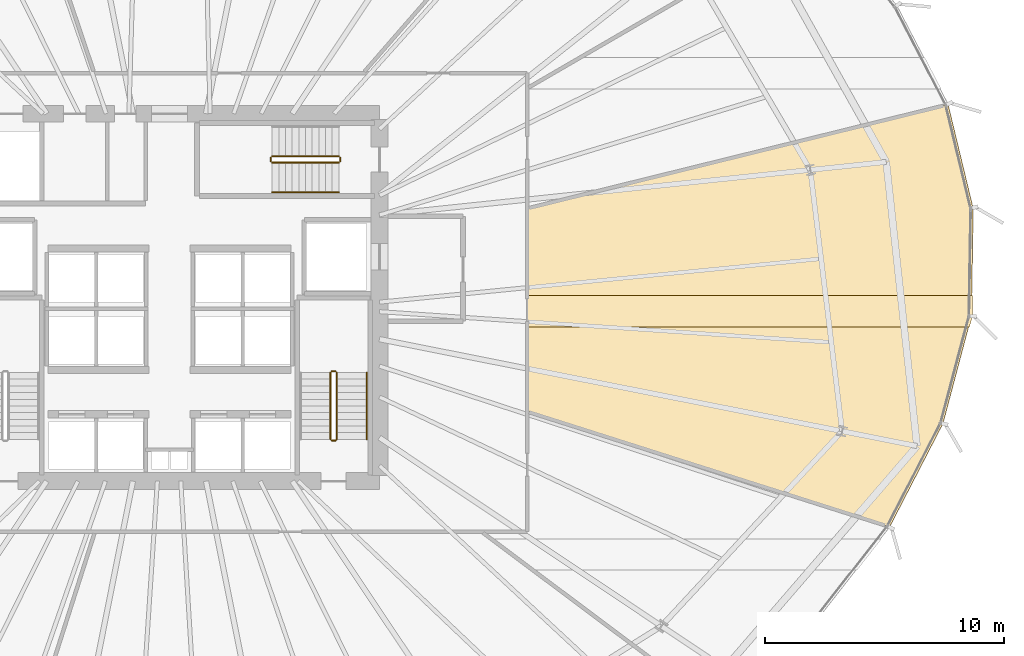
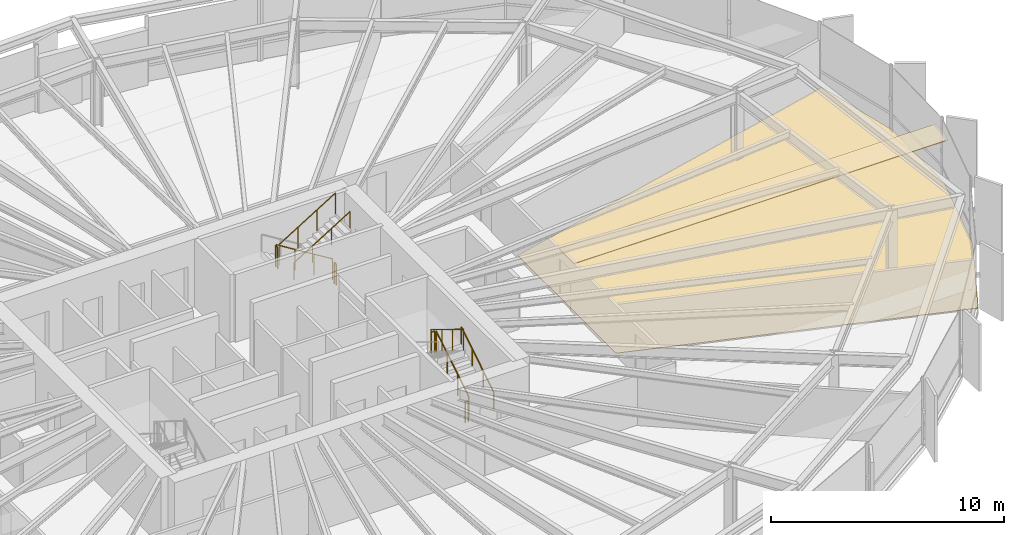
# One storey, part 36 of 37: 10 railings, 2 coverings.
"""IFC4 building model written with IfcOpenShell, lengths in metres."""

from ifc_helpers import new_model, si_unit, direction, frame, origin, origin_2d, place, context, subcontext, project, spatial, polyline, circle, outline, extrude, material, layer, layer_set, type_object, element, save


model = new_model("IFC4")

# Units and contexts
model_context = context("Model", 3, precision=1e-05, world=origin(), true_north=direction((0.0, 1.0)))
body_context = subcontext(model_context, "Body", "Model", "MODEL_VIEW")
ifc_project = project(units=[si_unit("LENGTHUNIT", "METRE"), si_unit("AREAUNIT", "SQUARE_METRE"), si_unit("VOLUMEUNIT", "CUBIC_METRE"), si_unit("PLANEANGLEUNIT", "RADIAN"), si_unit("MASSUNIT", "GRAM", prefix="KILO"), si_unit("THERMODYNAMICTEMPERATUREUNIT", "KELVIN")], contexts=[model_context])

# Site, building, storey
site_placement = place(None, origin())
site = spatial("IfcSite", under=ifc_project, at=site_placement, CompositionType="ELEMENT")
building_placement = place(site_placement, origin())
building = spatial("IfcBuilding", under=site, at=building_placement, Name="Kethvar Cultural Tower", CompositionType="ELEMENT")
storey_placement = place(building_placement, frame((0.0, 0.0, 56.199951171875)))
storey = spatial("IfcBuildingStorey", under=building, at=storey_placement, Name="L13", CompositionType="ELEMENT", Elevation=56.199951171875)

# Coverings
ifc_material_1 = material(Name="Acoustic Mineral Fibre Ceiling")
ifc_layer_1 = layer(ifc_material_1, 0.0400390625, Name="Acoustic Mineral Fibre Ceiling")
ifc_layer_set_1 = layer_set([ifc_layer_1], Name="Acoustic Mineral Fibre Ceiling (40 mm)")
covering_type_1 = type_object("IfcCoveringType", Name="CV-ACOUSTIC-CEIL", PredefinedType="CEILING", material=ifc_layer_set_1)
covering_1_placement = place(storey_placement, frame((0.0, 0.0, 2.56005859375)))
element("IfcCovering", 1, at=covering_1_placement, inside=storey, type_object=covering_type_1, Name="L13 Room 04 Acoustic Ceiling Panel", PredefinedType="CEILING", context=body_context, shape_type="SweptSolid", body=[
    extrude(outline(polyline([(61.77001953125, 27.87890625), (80.462890625, 27.87890625), (80.4482421875, 27.0068359375), (80.332763671875, 26.56884765625), (61.77001953125, 26.56884765625), (61.77001953125, 27.87890625)])), origin(), (0.0, 0.0, 1.0), 0.0400390625),
])
ifc_material_2 = material(Name="Architectural Oak Timber", Category="wood")
ifc_layer_2 = layer(ifc_material_2, 0.02490234375, Name="Architectural Oak Timber", Category="wood")
ifc_layer_set_2 = layer_set([ifc_layer_2], Name="Architectural Oak Timber (25 mm)")
covering_type_2 = type_object("IfcCoveringType", Name="CV-OAK-FLOOR", PredefinedType="FLOORING", material=ifc_layer_set_2)
covering_2_placement = place(storey_placement, origin())
element("IfcCovering", 2, at=covering_2_placement, inside=storey, type_object=covering_type_2, Name="L13 Room 04 Floor Finish", PredefinedType="FLOORING", context=body_context, shape_type="SweptSolid", body=[
    extrude(outline(polyline([(79.216064453125, 22.51416015625), (76.983642578125, 18.18505859375), (61.81005859375, 23.029052734375), (61.81005859375, 31.508056640625), (79.430908203125, 35.885009765625), (80.4833984375, 31.518798828125), (80.408203125, 27.010009765625), (79.216064453125, 22.51416015625)])), origin(), (0.0, 0.0, 1.0), 0.025146484375),
])

# Railings
ifc_material_3 = material(Name="Steel S355J2", Category="steel")
railing_type_1 = type_object("IfcRailingType", Name="RL-STAIR-GUARD", PredefinedType="BALUSTRADE", material=ifc_material_3)
railing_1_placement = place(storey_placement, frame((53.81005859375, 21.85009765625, 0.1728515625)))
element("IfcRailing", 3, at=railing_1_placement, inside=storey, type_object=railing_type_1, Name="L13 ST-02 stair guard 1", PredefinedType="BALUSTRADE", context=body_context, shape_type="SweptSolid", body=[
    extrude(circle(Radius=0.02392578125, at=origin_2d()), frame((0.0, 0.0, 1.09619140625), z_axis=(0.0, 0.851069175582, 0.525053576669), x_axis=(-1.0, 0.0, 0.0)), (0.0, 0.0, 1.0), 3.289794921875),
    extrude(circle(Radius=0.02099609375, at=origin_2d()), origin(), (0.0, 0.0, 1.0), 1.072021484375),
    extrude(circle(Radius=0.02099609375, at=origin_2d()), frame((0.0, 0.933349609375, 0.57568359375)), (0.0, 0.0, 1.0), 1.072021484375),
    extrude(circle(Radius=0.02099609375, at=origin_2d()), frame((0.0, 1.866455078125, 1.151611328125)), (0.0, 0.0, 1.0), 1.072021484375),
    extrude(circle(Radius=0.02099609375, at=origin_2d()), frame((0.0, 2.7998046875, 1.727294921875)), (0.0, 0.0, 1.0), 1.072021484375),
])
railing_2_placement = place(storey_placement, frame((53.760009765625, 24.699951171875, 1.900146484375)))
element("IfcRailing", 4, at=railing_2_placement, inside=storey, type_object=railing_type_1, Name="L13 ST-02 stair guard 2", PredefinedType="BALUSTRADE", context=body_context, shape_type="SweptSolid", body=[
    extrude(circle(Radius=0.02392578125, at=origin_2d()), frame((0.0, 0.0, 1.09619140625), z_axis=(-1.0, 0.0, 0.0), x_axis=(0.0, -1.0, 0.0)), (0.0, 0.0, 1.0), 0.159912109375),
    extrude(circle(Radius=0.02099609375, at=origin_2d()), origin(), (0.0, 0.0, 1.0), 1.072021484375),
    extrude(circle(Radius=0.02099609375, at=origin_2d()), frame((-0.159912109375, 0.0, 0.0)), (0.0, 0.0, 1.0), 1.072021484375),
])
railing_3_placement = place(storey_placement, frame((53.550048828125, 24.64990234375, 2.07275390625)))
element("IfcRailing", 5, at=railing_3_placement, inside=storey, type_object=railing_type_1, Name="L13 ST-02 stair guard 3", PredefinedType="BALUSTRADE", context=body_context, shape_type="SweptSolid", body=[
    extrude(circle(Radius=0.02392578125, at=origin_2d()), frame((0.0, 0.0, 1.09619140625), z_axis=(0.0, -0.851069175582, 0.525053576669), x_axis=(1.0, 0.0, 0.0)), (0.0, 0.0, 1.0), 3.289794921875),
    extrude(circle(Radius=0.02099609375, at=origin_2d()), origin(), (0.0, 0.0, 1.0), 1.072021484375),
    extrude(circle(Radius=0.02099609375, at=origin_2d()), frame((0.0, -0.933349609375, 0.57568359375)), (0.0, 0.0, 1.0), 1.072021484375),
    extrude(circle(Radius=0.02099609375, at=origin_2d()), frame((0.0, -1.866455078125, 1.151611328125)), (0.0, 0.0, 1.0), 1.072021484375),
    extrude(circle(Radius=0.02099609375, at=origin_2d()), frame((0.0, -2.7998046875, 1.727294921875)), (0.0, 0.0, 1.0), 1.072021484375),
])
railing_4_placement = place(storey_placement, frame((53.760009765625, 21.800048828125, 0.0)))
element("IfcRailing", 6, at=railing_4_placement, inside=storey, type_object=railing_type_1, Name="L13 ST-02 stair guard 4", PredefinedType="BALUSTRADE", context=body_context, shape_type="SweptSolid", body=[
    extrude(circle(Radius=0.02392578125, at=origin_2d()), frame((0.0, 0.0, 1.09619140625), z_axis=(-1.0, 0.0, 0.0), x_axis=(0.0, -1.0, 0.0)), (0.0, 0.0, 1.0), 0.159912109375),
    extrude(circle(Radius=0.02099609375, at=origin_2d()), origin(), (0.0, 0.0, 1.0), 1.072021484375),
    extrude(circle(Radius=0.02099609375, at=origin_2d()), frame((-0.159912109375, 0.0, 0.0)), (0.0, 0.0, 1.0), 1.072021484375),
])
railing_5_placement = place(storey_placement, frame((53.89990234375, 33.7099609375, 0.1728515625)))
element("IfcRailing", 7, at=railing_5_placement, inside=storey, type_object=railing_type_1, Name="L13 ST-03 stair guard 1", PredefinedType="BALUSTRADE", context=body_context, shape_type="SweptSolid", body=[
    extrude(circle(Radius=0.02392578125, at=origin_2d()), frame((0.0, 0.0, 1.09619140625), z_axis=(-0.851069175582, 0.0, 0.525053576669), x_axis=(0.0, -1.0, 0.0)), (0.0, 0.0, 1.0), 3.289794921875),
    extrude(circle(Radius=0.02099609375, at=origin_2d()), origin(), (0.0, 0.0, 1.0), 1.072021484375),
    extrude(circle(Radius=0.02099609375, at=origin_2d()), frame((-0.933349609375, 0.0, 0.57568359375)), (0.0, 0.0, 1.0), 1.072021484375),
    extrude(circle(Radius=0.02099609375, at=origin_2d()), frame((-1.866455078125, 0.0, 1.151611328125)), (0.0, 0.0, 1.0), 1.072021484375),
    extrude(circle(Radius=0.02099609375, at=origin_2d()), frame((-2.7998046875, 0.0, 1.727294921875)), (0.0, 0.0, 1.0), 1.072021484375),
])
railing_6_placement = place(storey_placement, frame((51.050048828125, 33.659912109375, 1.900146484375)))
element("IfcRailing", 8, at=railing_6_placement, inside=storey, type_object=railing_type_1, Name="L13 ST-03 stair guard 2", PredefinedType="BALUSTRADE", context=body_context, shape_type="SweptSolid", body=[
    extrude(circle(Radius=0.02392578125, at=origin_2d()), frame((0.0, 0.0, 1.09619140625), z_axis=(0.0, -1.0, 0.0), x_axis=(1.0, 0.0, 0.0)), (0.0, 0.0, 1.0), 0.159912109375),
    extrude(circle(Radius=0.02099609375, at=origin_2d()), origin(), (0.0, 0.0, 1.0), 1.072021484375),
    extrude(circle(Radius=0.02099609375, at=origin_2d()), frame((0.0, -0.159912109375, 0.0)), (0.0, 0.0, 1.0), 1.072021484375),
])
railing_7_placement = place(storey_placement, frame((51.10009765625, 33.449951171875, 2.07275390625)))
element("IfcRailing", 9, at=railing_7_placement, inside=storey, type_object=railing_type_1, Name="L13 ST-03 stair guard 3", PredefinedType="BALUSTRADE", context=body_context, shape_type="SweptSolid", body=[
    extrude(circle(Radius=0.02392578125, at=origin_2d()), frame((0.0, 0.0, 1.09619140625), z_axis=(0.851069175582, 0.0, 0.525053576669), x_axis=(0.0, 1.0, 0.0)), (0.0, 0.0, 1.0), 3.289794921875),
    extrude(circle(Radius=0.02099609375, at=origin_2d()), origin(), (0.0, 0.0, 1.0), 1.072021484375),
    extrude(circle(Radius=0.02099609375, at=origin_2d()), frame((0.933349609375, 0.0, 0.57568359375)), (0.0, 0.0, 1.0), 1.072021484375),
    extrude(circle(Radius=0.02099609375, at=origin_2d()), frame((1.866455078125, 0.0, 1.151611328125)), (0.0, 0.0, 1.0), 1.072021484375),
    extrude(circle(Radius=0.02099609375, at=origin_2d()), frame((2.7998046875, 0.0, 1.727294921875)), (0.0, 0.0, 1.0), 1.072021484375),
])
railing_8_placement = place(storey_placement, frame((53.949951171875, 33.659912109375, 0.0)))
element("IfcRailing", 10, at=railing_8_placement, inside=storey, type_object=railing_type_1, Name="L13 ST-03 stair guard 4", PredefinedType="BALUSTRADE", context=body_context, shape_type="SweptSolid", body=[
    extrude(circle(Radius=0.02392578125, at=origin_2d()), frame((0.0, 0.0, 1.09619140625), z_axis=(0.0, -1.0, 0.0), x_axis=(1.0, 0.0, 0.0)), (0.0, 0.0, 1.0), 0.159912109375),
    extrude(circle(Radius=0.02099609375, at=origin_2d()), origin(), (0.0, 0.0, 1.0), 1.072021484375),
    extrude(circle(Radius=0.02099609375, at=origin_2d()), frame((0.0, -0.159912109375, 0.0)), (0.0, 0.0, 1.0), 1.072021484375),
])
railing_type_2 = type_object("IfcRailingType", Name="RL-STAIR-HANDRAIL", PredefinedType="HANDRAIL", material=ifc_material_3)
railing_9_placement = place(storey_placement, frame((55.06005859375, 21.85009765625, 0.1728515625)))
element("IfcRailing", 11, at=railing_9_placement, inside=storey, type_object=railing_type_2, Name="L13 ST-02 stair handrail 1", PredefinedType="HANDRAIL", context=body_context, shape_type="SweptSolid", body=[
    extrude(circle(Radius=0.02392578125, at=origin_2d()), frame((0.0, 0.0, 0.8759765625), z_axis=(0.0, 0.851069175582, 0.525053576669), x_axis=(-1.0, 0.0, 0.0)), (0.0, 0.0, 1.0), 3.289794921875),
    extrude(circle(Radius=0.02099609375, at=origin_2d()), origin(), (0.0, 0.0, 1.0), 0.851806640625),
    extrude(circle(Radius=0.02099609375, at=origin_2d()), frame((0.0, 0.933349609375, 0.57568359375)), (0.0, 0.0, 1.0), 0.851806640625),
    extrude(circle(Radius=0.02099609375, at=origin_2d()), frame((0.0, 1.866455078125, 1.151611328125)), (0.0, 0.0, 1.0), 0.851806640625),
    extrude(circle(Radius=0.02099609375, at=origin_2d()), frame((0.0, 2.7998046875, 1.727294921875)), (0.0, 0.0, 1.0), 0.851806640625),
])
railing_10_placement = place(storey_placement, frame((51.10009765625, 32.199951171875, 2.07275390625)))
element("IfcRailing", 12, at=railing_10_placement, inside=storey, type_object=railing_type_2, Name="L13 ST-03 stair handrail 2", PredefinedType="HANDRAIL", context=body_context, shape_type="SweptSolid", body=[
    extrude(circle(Radius=0.02392578125, at=origin_2d()), frame((0.0, 0.0, 0.8759765625), z_axis=(0.851069175582, 0.0, 0.525053576669), x_axis=(0.0, 1.0, 0.0)), (0.0, 0.0, 1.0), 3.289794921875),
    extrude(circle(Radius=0.02099609375, at=origin_2d()), origin(), (0.0, 0.0, 1.0), 0.851806640625),
    extrude(circle(Radius=0.02099609375, at=origin_2d()), frame((0.933349609375, 0.0, 0.57568359375)), (0.0, 0.0, 1.0), 0.851806640625),
    extrude(circle(Radius=0.02099609375, at=origin_2d()), frame((1.866455078125, 0.0, 1.151611328125)), (0.0, 0.0, 1.0), 0.851806640625),
    extrude(circle(Radius=0.02099609375, at=origin_2d()), frame((2.7998046875, 0.0, 1.727294921875)), (0.0, 0.0, 1.0), 0.851806640625),
])

save(model, "model.ifc")
